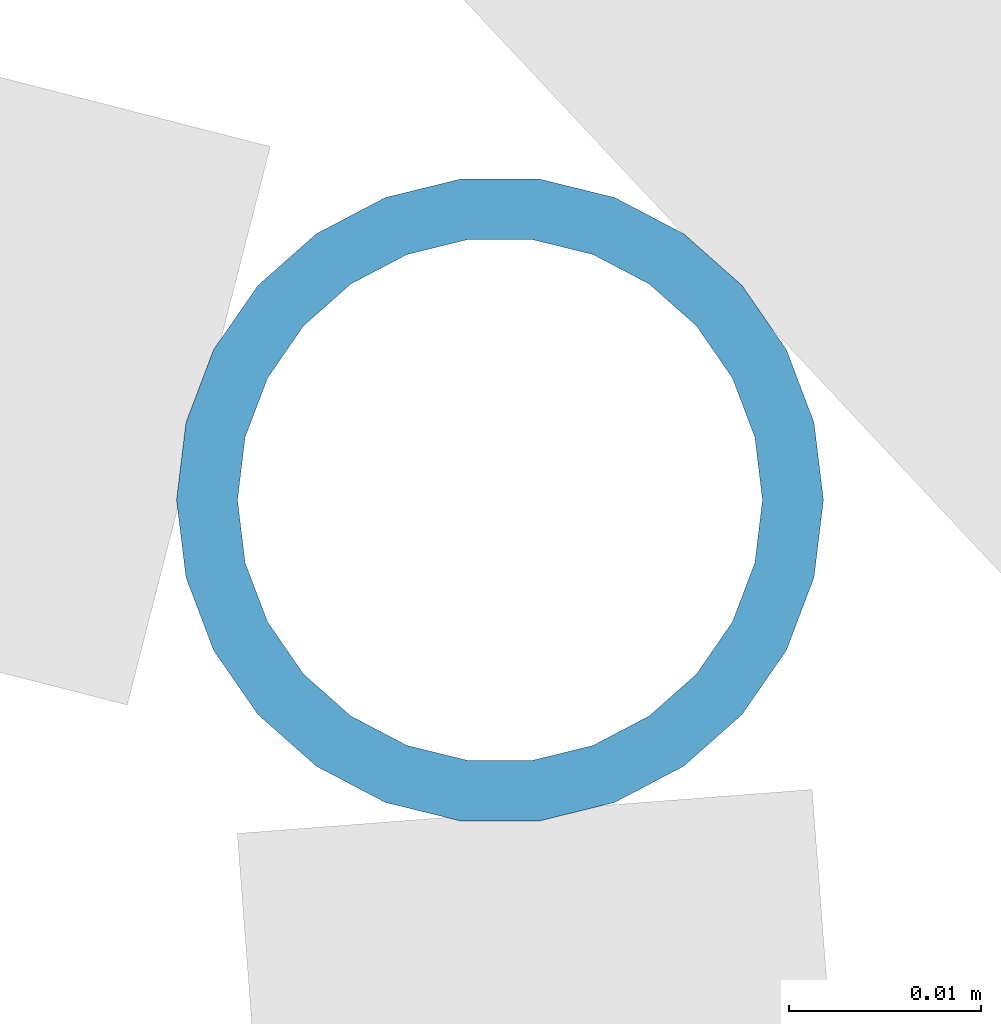
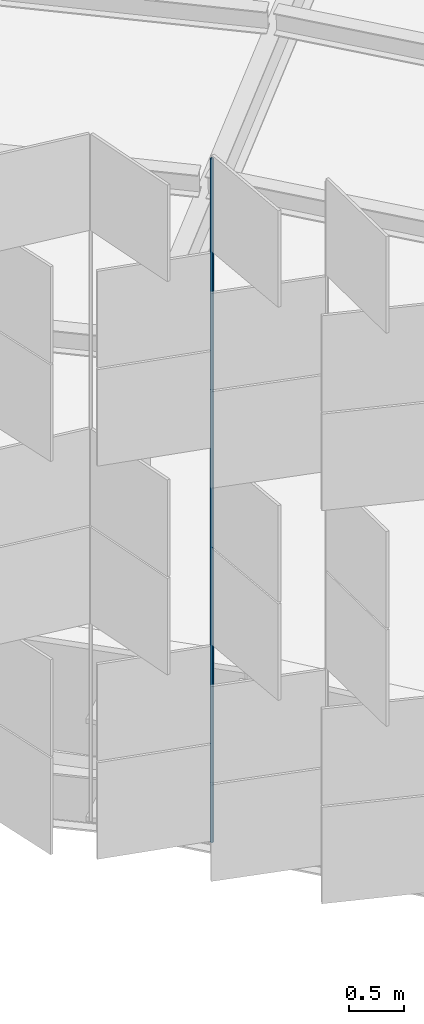
# One storey, part 256 of 483: 1 discrete accessory.
"""IFC4 building model written with IfcOpenShell, lengths in metres."""

from ifc_helpers import new_model, si_unit, direction, frame, origin, origin_2d, place, context, subcontext, project, spatial, hollow_circle, extrude, material, material_profile, profile_set, type_object, element, save


model = new_model("IFC4")

# Units and contexts
model_context = context("Model", 3, precision=1e-05, world=origin(), true_north=direction((0.0, 1.0)))
body_context = subcontext(model_context, "Body", "Model", "MODEL_VIEW")
ifc_project = project(units=[si_unit("LENGTHUNIT", "METRE"), si_unit("AREAUNIT", "SQUARE_METRE"), si_unit("VOLUMEUNIT", "CUBIC_METRE"), si_unit("PLANEANGLEUNIT", "RADIAN"), si_unit("MASSUNIT", "GRAM", prefix="KILO")], contexts=[model_context])

# Site, building, storey
site_placement = place(None, origin())
site = spatial("IfcSite", under=ifc_project, at=site_placement, CompositionType="ELEMENT")
building_placement = place(site_placement, origin())
building = spatial("IfcBuilding", under=site, at=building_placement, Name="Parallax Yard Mobility Hub", CompositionType="ELEMENT")
storey_placement = place(building_placement, frame((0.0, 0.0, 13.199951171875)))
storey = spatial("IfcBuildingStorey", under=building, at=storey_placement, Name="L04", CompositionType="ELEMENT", Elevation=13.199951171875)

# Discrete accessory
ifc_material = material(Name="Steel ASTM A500 Gr C, hot-dip galvanised", Category="steel")
ifc_material_profile = material_profile(ifc_material, hollow_circle(Radius=0.016845703125, WallThickness=0.003173828125, at=origin_2d()), Name="CHS 33.7x3.2")
ifc_profile_set = profile_set([ifc_material_profile], Name="Steel ASTM A500 Gr C, hot-dip galvanised")
discrete_accessory_type = type_object("IfcDiscreteAccessoryType", Name="Hinge post CHS 33.7x3.2", PredefinedType="BRACKET", material=ifc_profile_set)
discrete_accessory_placement = place(storey_placement, frame((188.481201171875, 104.370849609375, 0.0), z_axis=(0.0, 0.0, 1.0), x_axis=(1.0, 0.0, 0.0)))
element("IfcDiscreteAccessory", 1, at=discrete_accessory_placement, inside=storey, type_object=discrete_accessory_type, Name="Hinge post bay 20.5 level L04", PredefinedType="BRACKET", context=body_context, shape_type="SweptSolid", body=[
    extrude(hollow_circle(Radius=0.016845703125, WallThickness=0.003173828125, at=origin_2d()), origin(), (0.0, 0.0, 1.0), 7.650146484375),
])

save(model, "model.ifc")
